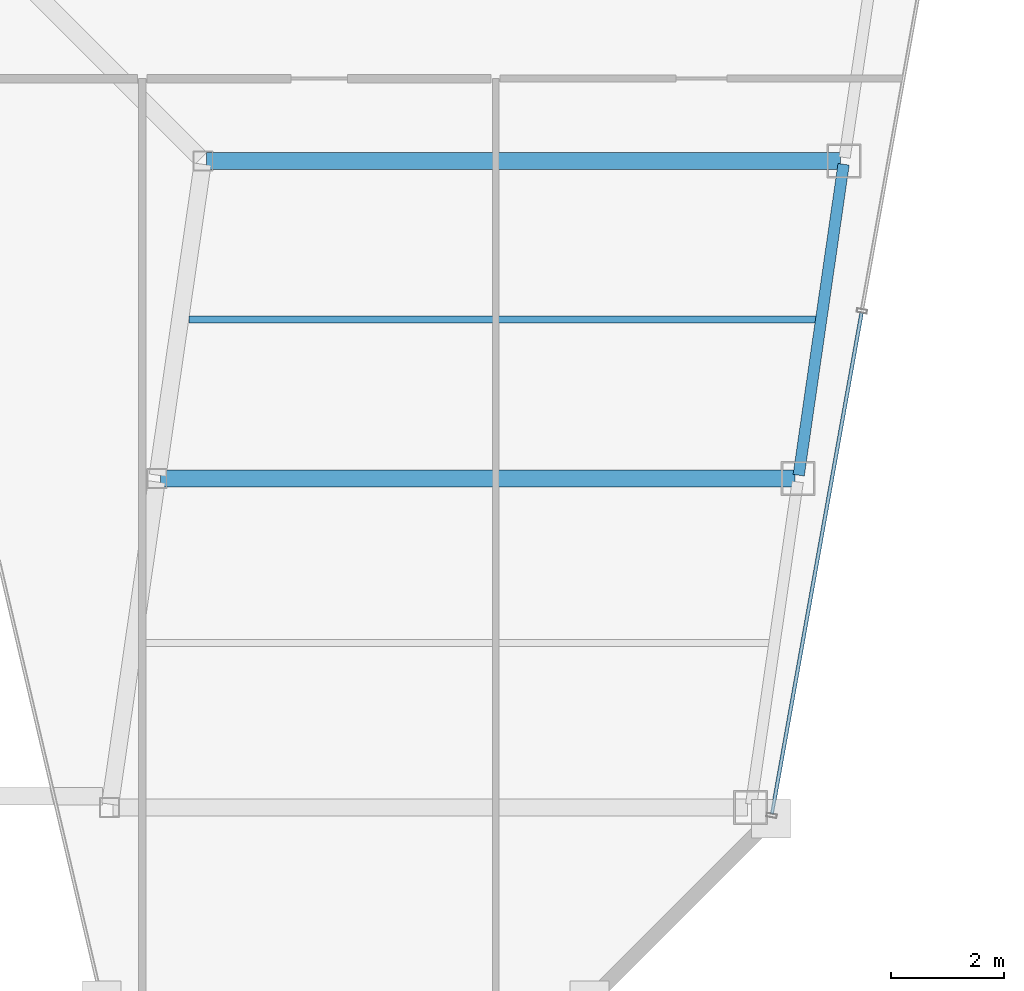
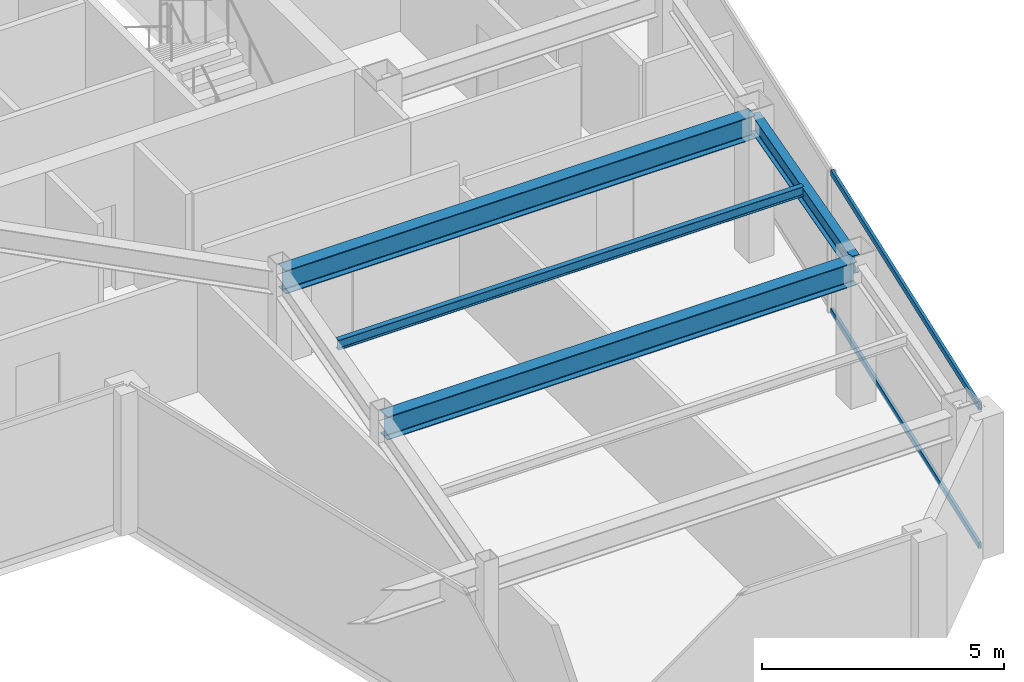
# One storey, part 16 of 32: 4 beams, 2 members, 1 element without a shape of its own.
"""IFC4 building model written with IfcOpenShell, lengths in metres."""

from ifc_helpers import new_model, si_unit, direction, frame, origin, origin_2d, place, context, subcontext, project, spatial, hollow_rectangle, i_section, extrude, material, material_profile, profile_set, type_object, element, aggregate, save


model = new_model("IFC4")

# Units and contexts
model_context = context("Model", 3, precision=1e-05, world=origin(), true_north=direction((0.0, 1.0)))
body_context = subcontext(model_context, "Body", "Model", "MODEL_VIEW")
ifc_project = project(units=[si_unit("LENGTHUNIT", "METRE"), si_unit("AREAUNIT", "SQUARE_METRE"), si_unit("VOLUMEUNIT", "CUBIC_METRE"), si_unit("PLANEANGLEUNIT", "RADIAN"), si_unit("MASSUNIT", "GRAM", prefix="KILO")], contexts=[model_context])

# Site, building, storey
site_placement = place(None, origin())
site = spatial("IfcSite", under=ifc_project, at=site_placement, CompositionType="ELEMENT")
building_placement = place(site_placement, origin())
building = spatial("IfcBuilding", under=site, at=building_placement, Name="Saevonmaru Cultural Tower", CompositionType="ELEMENT")
storey_placement = place(building_placement, frame((0.0, 0.0, 261.0)))
storey = spatial("IfcBuildingStorey", under=building, at=storey_placement, Name="L61", CompositionType="ELEMENT", Elevation=261.0)

# Beams
ifc_material_1 = material(Name="Steel SM355", Category="steel")
ifc_material_profile_1 = material_profile(ifc_material_1, i_section(OverallWidth=0.300048828125, OverallDepth=0.587890625, WebThickness=0.011962890625, FlangeThickness=0.02001953125, FilletRadius=0.02392578125, at=origin_2d()), Name="H-588x300x12x20")
ifc_profile_set_1 = profile_set([ifc_material_profile_1], Name="Steel SM355")
beam_type_1 = type_object("IfcBeamType", Name="BM-G-H588", PredefinedType="BEAM", material=ifc_profile_set_1)
for number, where, z_axis, x_axis, name in (
    (1, (40.443115234375, 32.0, 3.256103515625), (1.0, 0.0, 0.0), (0.0, 1.0, 0.0), "L61 East Wing Transverse Girder 2"),
    (2, (41.251953125, 37.60009765625, 3.256103515625), (1.0, 0.0, 0.0), (0.0, 1.0, 0.0), "L61 East Wing Transverse Girder 3"),
):
    element("IfcBeam", number, at=place(storey_placement, frame(where, z_axis=z_axis, x_axis=x_axis)), inside=storey, type_object=beam_type_1, Name=name, PredefinedType="BEAM", context=body_context, shape_type="SweptSolid", body=[
        extrude(i_section(OverallWidth=0.300048828125, OverallDepth=0.587890625, WebThickness=0.011962890625, FlangeThickness=0.02001953125, FilletRadius=0.02392578125, at=origin_2d()), origin(), (0.0, 0.0, 1.0), 11.179931640625),
    ])
ifc_material_profile_2 = material_profile(ifc_material_1, i_section(OverallWidth=0.125, OverallDepth=0.25, WebThickness=0.006103515625, FlangeThickness=0.009033203125, FilletRadius=0.008056640625, at=origin_2d()), Name="H-250x125x6x9")
ifc_profile_set_2 = profile_set([ifc_material_profile_2], Name="Steel SM355")
beam_type_2 = type_object("IfcBeamType", Name="BM-J-H250", PredefinedType="JOIST", material=ifc_profile_set_2)
beam_1_placement = place(storey_placement, frame((40.945556640625, 34.800048828125, 3.425048828125), z_axis=(1.0, 0.0, 0.0), x_axis=(0.0, 1.0, 0.0)))
element("IfcBeam", 3, at=beam_1_placement, inside=storey, type_object=beam_type_2, Name="L61 East Wing Floor Joist 2", PredefinedType="JOIST", context=body_context, shape_type="SweptSolid", body=[
    extrude(i_section(OverallWidth=0.125, OverallDepth=0.25, WebThickness=0.006103515625, FlangeThickness=0.009033203125, FilletRadius=0.008056640625, at=origin_2d()), origin(), (0.0, 0.0, 1.0), 11.08203125),
])
ifc_material_profile_3 = material_profile(ifc_material_1, i_section(OverallWidth=0.199951171875, OverallDepth=0.449951171875, WebThickness=0.009033203125, FlangeThickness=0.013916015625, FilletRadius=0.01806640625, at=origin_2d()), Name="H-450x200x9x14")
ifc_profile_set_3 = profile_set([ifc_material_profile_3], Name="Steel SM355")
beam_type_3 = type_object("IfcBeamType", Name="BM-SP-H450", PredefinedType="SPANDREL", material=ifc_profile_set_3)
beam_2_placement = place(storey_placement, frame((51.691650390625, 32.059326171875, 3.324951171875), z_axis=(0.142964121327, 0.989727871697, 0.0), x_axis=(-0.989727871697, 0.142964121327, 0.0)))
element("IfcBeam", 4, at=beam_2_placement, inside=storey, type_object=beam_type_3, Name="L61 East Splayed Spandrel 2", PredefinedType="SPANDREL", context=body_context, shape_type="SweptSolid", body=[
    extrude(i_section(OverallWidth=0.199951171875, OverallDepth=0.449951171875, WebThickness=0.009033203125, FlangeThickness=0.013916015625, FilletRadius=0.01806640625, at=origin_2d()), origin(), (0.0, 0.0, 1.0), 5.5380859375),
])

# Curtain wall, members
ifc_material_2 = material(Name="Satin Bronze Anodised Aluminium", Category="aluminium")
curtain_wall_type = type_object("IfcCurtainWallType", Name="CW-TYP-B", PredefinedType="NOTDEFINED", material=ifc_material_2)
curtain_wall_placement = place(storey_placement, origin())
curtain_wall = element("IfcCurtainWall", 5, at=curtain_wall_placement, inside=storey, type_object=curtain_wall_type, Name="L61 Unitised Curtain Wall E8", PredefinedType="NOTDEFINED")
ifc_material_profile_4 = material_profile(ifc_material_2, hollow_rectangle(XDim=0.06494140625, YDim=0.14990234375, WallThickness=0.00390625, at=origin_2d()), Name="ALU-TRAN-150x65x4")
ifc_profile_set_4 = profile_set([ifc_material_profile_4], Name="Satin Bronze Anodised Aluminium")
member_type = type_object("IfcMemberType", Name="TR-CW-150x65", PredefinedType="USERDEFINED", material=ifc_profile_set_4)
member_1_placement = place(storey_placement, frame((51.220703125, 26.091064453125, 0.032470703125), z_axis=(0.176144810911, 0.984364264685, 0.0), x_axis=(-0.984364264685, 0.176144810911, 0.0)))
member_1 = element("IfcMember", 6, at=member_1_placement, type_object=member_type, Name="CW-TW-L61-E8 transom 1.1", ObjectType="TRANSOM", PredefinedType="USERDEFINED", context=body_context, shape_type="SweptSolid", body=[
    extrude(hollow_rectangle(XDim=0.06494140625, YDim=0.14990234375, WallThickness=0.00390625, at=origin_2d()), origin(), (0.0, 0.0, 1.0), 8.97021484375),
])
member_2_placement = place(storey_placement, frame((51.220703125, 26.091064453125, 3.517578125), z_axis=(0.176144810911, 0.984364264685, 0.0), x_axis=(-0.984364264685, 0.176144810911, 0.0)))
member_2 = element("IfcMember", 7, at=member_2_placement, type_object=member_type, Name="CW-TW-L61-E8 transom 1.2", ObjectType="TRANSOM", PredefinedType="USERDEFINED", context=body_context, shape_type="SweptSolid", body=[
    extrude(hollow_rectangle(XDim=0.06494140625, YDim=0.14990234375, WallThickness=0.00390625, at=origin_2d()), origin(), (0.0, 0.0, 1.0), 8.97021484375),
])
aggregate(curtain_wall, [member_1, member_2])

save(model, "model.ifc")
